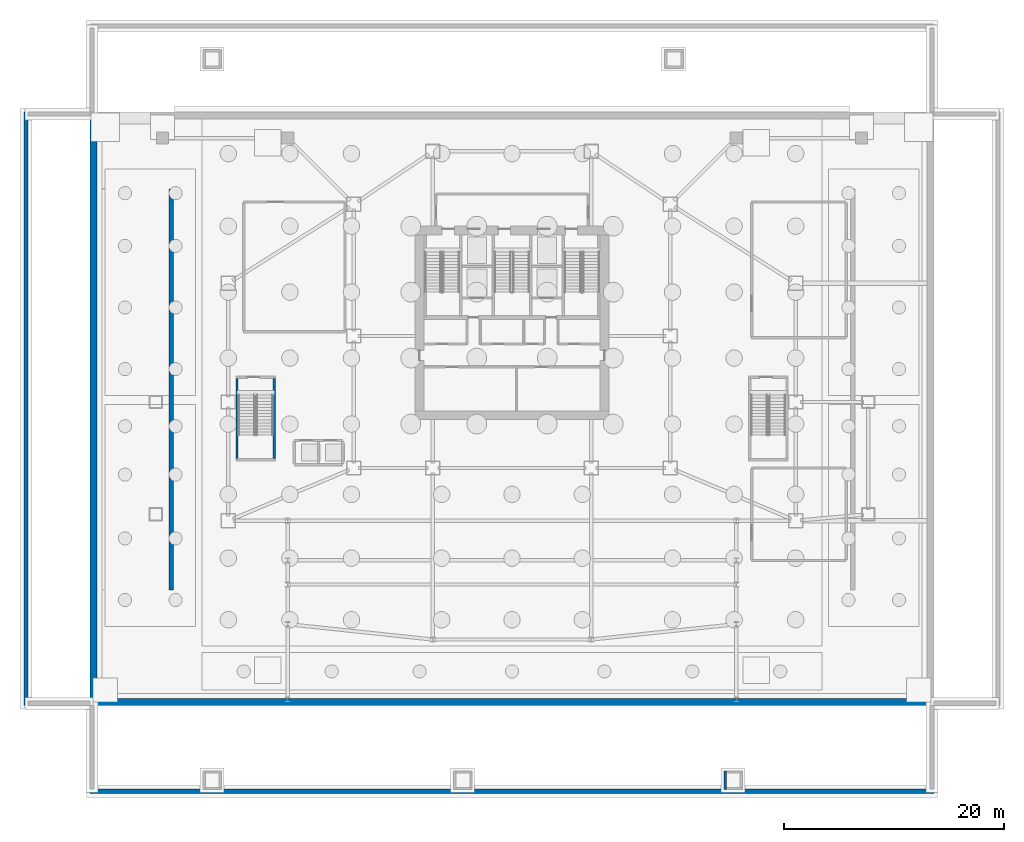
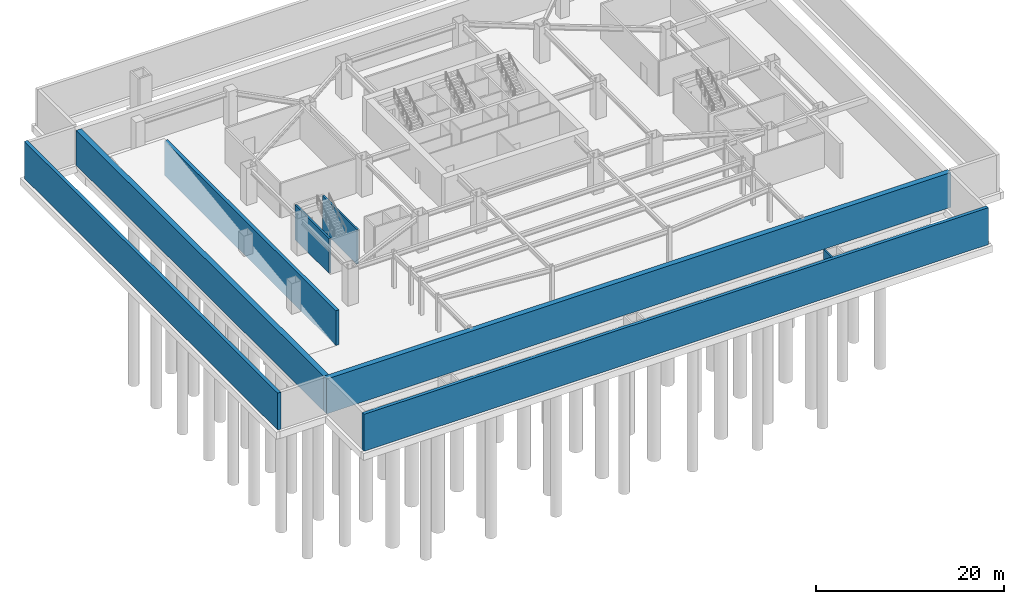
# One storey, part 7 of 15: 8 walls.
"""IFC4 building model written with IfcOpenShell, lengths in metres."""

from ifc_helpers import new_model, si_unit, direction, frame, frame_2d, origin, place, context, subcontext, project, spatial, rectangle, extrude, material, layer, layer_set, type_object, element, save


model = new_model("IFC4")

# Units and contexts
model_context = context("Model", 3, precision=1e-05, world=origin(), true_north=direction((0.0, 1.0)))
body_context = subcontext(model_context, "Body", "Model", "MODEL_VIEW")
ifc_project = project(units=[si_unit("LENGTHUNIT", "METRE"), si_unit("AREAUNIT", "SQUARE_METRE"), si_unit("VOLUMEUNIT", "CUBIC_METRE"), si_unit("PLANEANGLEUNIT", "RADIAN"), si_unit("MASSUNIT", "GRAM", prefix="KILO")], contexts=[model_context])

# Site, building, storey
site_placement = place(None, origin())
site = spatial("IfcSite", under=ifc_project, at=site_placement, CompositionType="ELEMENT")
building_placement = place(site_placement, origin())
building = spatial("IfcBuilding", under=site, at=building_placement, Name="Haolan Belvedere Tower", CompositionType="ELEMENT")
storey_placement = place(building_placement, frame((0.0, 0.0, -9.60009765625)))
storey = spatial("IfcBuildingStorey", under=building, at=storey_placement, Name="B2", CompositionType="ELEMENT", Elevation=-9.60009765625)

# Walls
ifc_material = material(Name="Concrete C50/60", Category="concrete")
ifc_layer_1 = layer(ifc_material, 0.64990234375, Name="Concrete C50/60")
ifc_layer_set_1 = layer_set([ifc_layer_1], Name="Concrete C50/60")
wall_type_1 = type_object("IfcWallType", Name="WL-RET-650", PredefinedType="USERDEFINED", material=ifc_layer_set_1)
wall_1_placement = place(storey_placement, frame((0.0, 0.324951171875, 0.0), z_axis=(0.0, 0.0, 1.0), x_axis=(1.0, 0.0, 0.0)))
element("IfcWall", 1, at=wall_1_placement, inside=storey, type_object=wall_type_1, Name="B2 perimeter retaining wall S", ObjectType="RETAINING", PredefinedType="USERDEFINED", context=body_context, shape_type="SweptSolid", body=[
    extrude(rectangle(XDim=76.800048828125, YDim=0.64990234375, at=frame_2d((38.39990234375, 0.0))), origin(), (0.0, 0.0, 1.0), 4.52001953125),
])
wall_2_placement = place(storey_placement, frame((0.324951171875, 0.64990234375, 0.0), z_axis=(0.0, 0.0, 1.0), x_axis=(0.0, 1.0, 0.0)))
element("IfcWall", 2, at=wall_2_placement, inside=storey, type_object=wall_type_1, Name="B2 perimeter retaining wall W", ObjectType="RETAINING", PredefinedType="USERDEFINED", context=body_context, shape_type="SweptSolid", body=[
    extrude(rectangle(XDim=52.7001953125, YDim=0.64990234375, at=frame_2d((26.35009765625, 0.0))), origin(), (0.0, 0.0, 1.0), 4.52001953125),
])
ifc_layer_2 = layer(ifc_material, 0.39990234375, Name="Concrete C50/60")
ifc_layer_set_2 = layer_set([ifc_layer_2], Name="Concrete C50/60")
wall_type_2 = type_object("IfcWallType", Name="WL-RMP-400", PredefinedType="SOLIDWALL", material=ifc_layer_set_2)
wall_3_placement = place(storey_placement, frame((7.39990234375, 10.5, 0.0), z_axis=(0.0, 0.0, 1.0), x_axis=(0.0, 1.0, 0.0)))
element("IfcWall", 3, at=wall_3_placement, inside=storey, type_object=wall_type_2, Name="B2 west vehicle ramp structural wall", PredefinedType="SOLIDWALL", context=body_context, shape_type="SweptSolid", body=[
    extrude(rectangle(XDim=36.5, YDim=0.39990234375, at=frame_2d((18.25, 0.0))), origin(), (0.0, 0.0, 1.0), 4.52001953125),
])
wall_4_placement = place(storey_placement, frame((0.0, -7.800048828125, 0.0), z_axis=(0.0, 0.0, 1.0), x_axis=(1.0, 0.0, 0.0)))
element("IfcWall", 4, at=wall_4_placement, inside=storey, type_object=wall_type_2, Name="B2 apron foundation wall APW-S-OUT", PredefinedType="SOLIDWALL", context=body_context, shape_type="SweptSolid", body=[
    extrude(rectangle(XDim=76.800048828125, YDim=0.39990234375, at=frame_2d((38.39990234375, 0.0))), origin(), (0.0, 0.0, 1.0), 4.800048828125),
])
wall_5_placement = place(storey_placement, frame((-5.800048828125, 0.0, 0.0), z_axis=(0.0, 0.0, 1.0), x_axis=(0.0, 1.0, 0.0)))
element("IfcWall", 5, at=wall_5_placement, inside=storey, type_object=wall_type_2, Name="B2 apron foundation wall APW-W-OUT", PredefinedType="SOLIDWALL", context=body_context, shape_type="SweptSolid", body=[
    extrude(rectangle(XDim=54.0, YDim=0.39990234375, at=frame_2d((27.0, 0.0))), origin(), (0.0, 0.0, 1.0), 4.800048828125),
])
ifc_layer_3 = layer(ifc_material, 0.219970703125, Name="Concrete C50/60")
ifc_layer_set_3 = layer_set([ifc_layer_3], Name="Concrete C50/60")
wall_type_3 = type_object("IfcWallType", Name="WL-STAIR-220", PredefinedType="SHEAR", material=ifc_layer_set_3)
for number, where, z_axis, x_axis, name in (
    (6, (13.389892578125, 22.449951171875, 0.0), (0.0, 0.0, 1.0), (0.0, 1.0, 0.0), "B2 podium stair ST4 structural shaft wall W"),
    (7, (16.7900390625, 22.449951171875, 0.0), (0.0, 0.0, 1.0), (0.0, 1.0, 0.0), "B2 podium stair ST4 structural shaft wall E"),
):
    element("IfcWall", number, at=place(storey_placement, frame(where, z_axis=z_axis, x_axis=x_axis)), inside=storey, type_object=wall_type_3, Name=name, PredefinedType="SHEAR", context=body_context, shape_type="SweptSolid", body=[
        extrude(rectangle(XDim=7.300048828125, YDim=0.219970703125, at=frame_2d((3.64990234375, 0.0))), origin(), (0.0, 0.0, 1.0), 4.52001953125),
    ])
wall_6_placement = place(storey_placement, frame((57.800048828125, -7.659912109375, 0.0), z_axis=(0.0, 0.0, 1.0), x_axis=(0.0, 1.0, 0.0)))
element("IfcWall", 8, at=wall_6_placement, inside=storey, type_object=wall_type_3, Name="South-east plaza step-free accessible ramp AR-2 foundation stem wall B2 W", PredefinedType="SHEAR", context=body_context, shape_type="SweptSolid", body=[
    extrude(rectangle(XDim=1.719970703125, YDim=0.219970703125, at=frame_2d((0.85986328125, 0.0))), origin(), (0.0, 0.0, 1.0), 4.800048828125),
])

save(model, "model.ifc")
